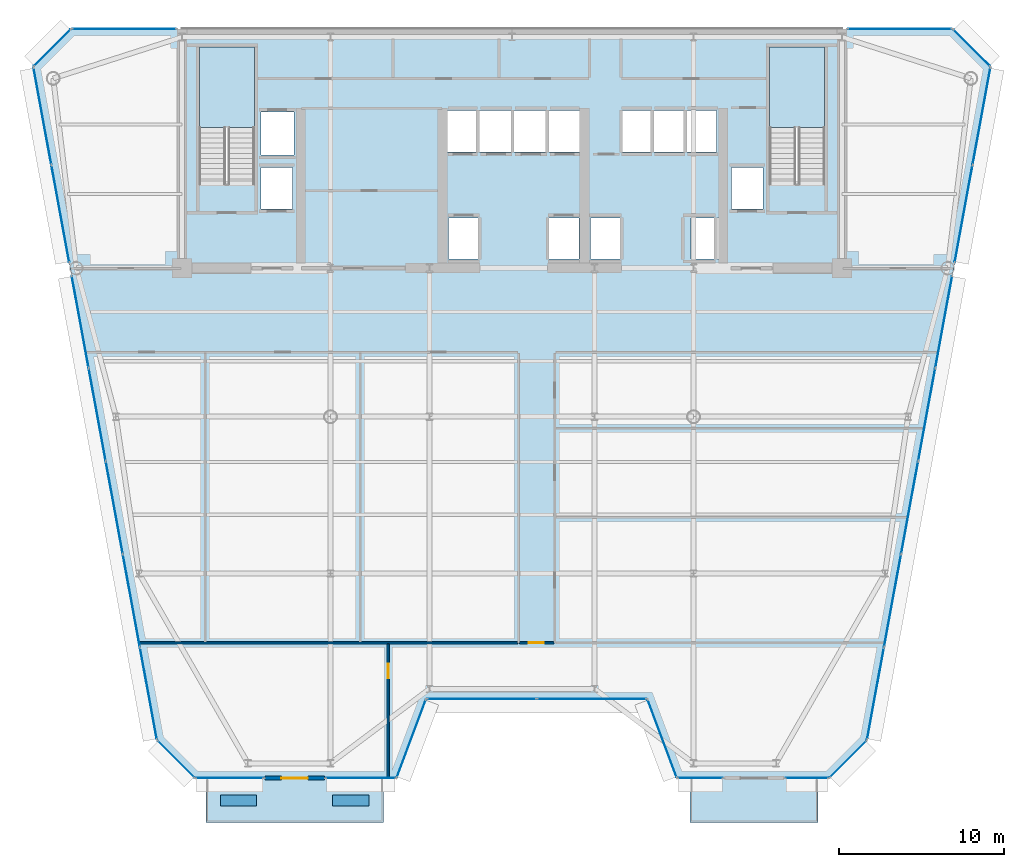
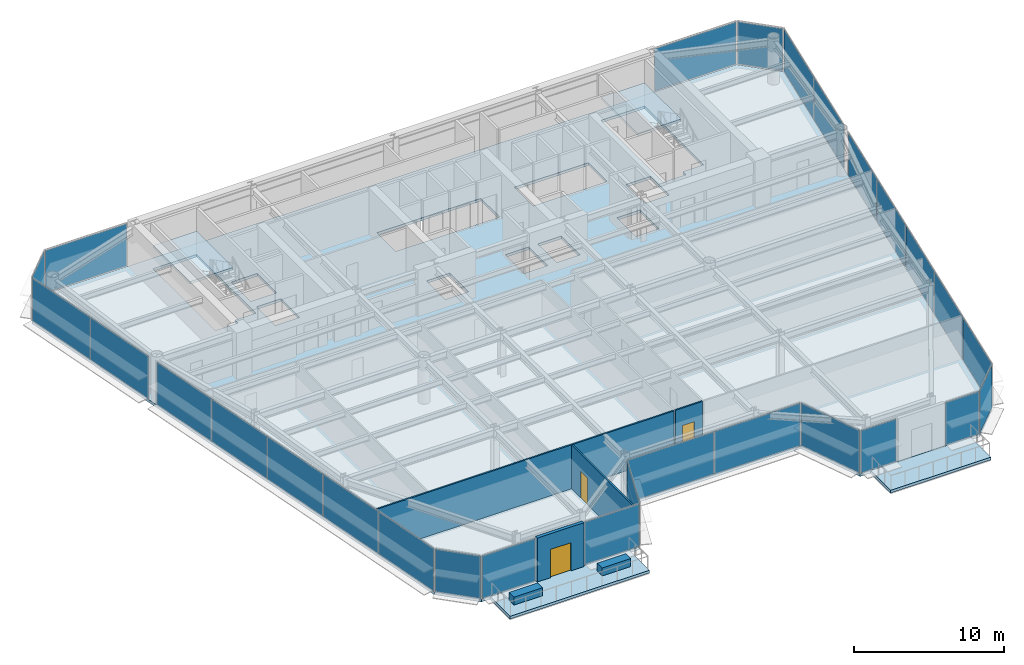
# One storey, part 10 of 17: 28 plates, 6 walls, 5 slabs, 3 doors, 3 openings, 19 elements without a shape of their own.
"""IFC4 building model written with IfcOpenShell, lengths in metres."""

from ifc_helpers import new_model, si_unit, direction, frame, frame_2d, origin, origin_2d, place, context, subcontext, project, spatial, polyline, rectangle, outline, extrude, source, transform, mapped, material, layer, layer_set, type_object, element, fill, aggregate, save


model = new_model("IFC4")

# Units and contexts
model_context = context("Model", 3, precision=1e-05, world=origin(), true_north=direction((0.0, 1.0)))
body_context = subcontext(model_context, "Body", "Model", "MODEL_VIEW")
ifc_project = project(units=[si_unit("LENGTHUNIT", "METRE"), si_unit("AREAUNIT", "SQUARE_METRE"), si_unit("VOLUMEUNIT", "CUBIC_METRE"), si_unit("PLANEANGLEUNIT", "RADIAN"), si_unit("MASSUNIT", "GRAM", prefix="KILO")], contexts=[model_context])

# Site, building, storey
site_placement = place(None, origin())
site = spatial("IfcSite", under=ifc_project, at=site_placement, CompositionType="ELEMENT")
building_placement = place(site_placement, origin())
building = spatial("IfcBuilding", under=site, at=building_placement, Name="Vaeldorn Concourse Tower", CompositionType="ELEMENT")
storey_placement = place(building_placement, frame((0.0, 0.0, 180.39990234375)))
storey = spatial("IfcBuildingStorey", under=building, at=storey_placement, Name="L46", CompositionType="ELEMENT", Elevation=180.39990234375)

# Slabs
ifc_material_1 = material(Name="Concrete C40/50", Category="concrete")
ifc_layer_1 = layer(ifc_material_1, 0.219970703125)
ifc_layer_set_1 = layer_set([ifc_layer_1], Name="Concrete C40/50")
slab_type_1 = type_object("IfcSlabType", Name="SL-SKYGARDEN", PredefinedType="FLOOR", material=ifc_layer_set_1)
slab_1_placement = place(storey_placement, frame((0.0, 0.0, -0.219970703125)))
element("IfcSlab", 1, at=slab_1_placement, inside=storey, type_object=slab_type_1, Name="Mid-Rise Sky Garden Terrace Slab 1", PredefinedType="FLOOR", context=body_context, shape_type="SweptSolid", body=[
    extrude(outline(polyline([(15.452880859375, 2.919921875), (26.199951171875, 2.919921875), (26.199951171875, 5.580078125), (15.452880859375, 5.580078125), (15.452880859375, 2.919921875)])), origin(), (0.0, 0.0, 1.0), 0.219970703125),
])
slab_2_placement = place(storey_placement, frame((0.0, 0.0, -0.219970703125)))
element("IfcSlab", 2, at=slab_2_placement, inside=storey, type_object=slab_type_1, Name="Mid-Rise Sky Garden Terrace Slab 2", PredefinedType="FLOOR", context=body_context, shape_type="SweptSolid", body=[
    extrude(outline(polyline([(44.800048828125, 2.919921875), (52.547119140625, 2.919921875), (52.547119140625, 5.580078125), (44.800048828125, 5.580078125), (44.800048828125, 2.919921875)])), origin(), (0.0, 0.0, 1.0), 0.219970703125),
])

# Stair, slab
ifc_material_2 = material(Name="Precast concrete C40/50", Category="concrete")
stair_type = type_object("IfcStairType", Name="STR-DOG-24x158", PredefinedType="HALF_TURN_STAIR", material=ifc_material_2)
stair_1_placement = place(storey_placement, origin())
stair_1 = element("IfcStair", 3, at=stair_1_placement, inside=storey, type_object=stair_type, Name="L46 West Core Exit Stair ST-1", PredefinedType="HALF_TURN_STAIR")
ifc_layer_2 = layer(ifc_material_1, 0.199951171875)
ifc_layer_set_2 = layer_set([ifc_layer_2], Name="Concrete C40/50")
slab_type_2 = type_object("IfcSlabType", Name="SL-STAIR-LANDING", PredefinedType="LANDING", material=ifc_layer_set_2)
slab_3_placement = place(storey_placement, frame((0.0, 0.0, 1.7001953125)))
slab_3 = element("IfcSlab", 4, at=slab_3_placement, type_object=slab_type_2, Name="ST-1 landing 1", PredefinedType="LANDING", context=body_context, shape_type="SweptSolid", body=[
    extrude(outline(polyline([(18.39990234375, 45.010009765625), (18.39990234375, 49.89990234375), (15.050048828125, 49.89990234375), (15.050048828125, 45.010009765625), (18.39990234375, 45.010009765625)])), origin(), (0.0, 0.0, 1.0), 0.199951171875),
])
aggregate(stair_1, [slab_3])

stair_2_placement = place(storey_placement, origin())
stair_2 = element("IfcStair", 5, at=stair_2_placement, inside=storey, type_object=stair_type, Name="L46 East Core Exit Stair ST-2", PredefinedType="HALF_TURN_STAIR")
slab_4_placement = place(storey_placement, frame((0.0, 0.0, 1.7001953125)))
slab_4 = element("IfcSlab", 6, at=slab_4_placement, type_object=slab_type_2, Name="ST-2 landing 1", PredefinedType="LANDING", context=body_context, shape_type="SweptSolid", body=[
    extrude(outline(polyline([(52.949951171875, 45.010009765625), (52.949951171875, 49.89990234375), (49.60009765625, 49.89990234375), (49.60009765625, 45.010009765625), (52.949951171875, 45.010009765625)])), origin(), (0.0, 0.0, 1.0), 0.199951171875),
])
aggregate(stair_2, [slab_4])

# Slab
ifc_layer_3 = layer(ifc_material_1, 0.219970703125)
ifc_layer_set_3 = layer_set([ifc_layer_3], Name="Concrete C40/50")
slab_type_3 = type_object("IfcSlabType", Name="SL-TYP-220", PredefinedType="FLOOR", material=ifc_layer_set_3)
slab_5_placement = place(storey_placement, frame((0.0, 0.0, -0.219970703125)))
element("IfcSlab", 7, at=slab_5_placement, inside=storey, type_object=slab_type_3, Name="Structural Floor Slab L46", PredefinedType="FLOOR", context=body_context, shape_type="SweptSolid", body=[
    extrude(outline(polyline([(14.791015625, 5.60009765625), (27.0, 5.60009765625), (28.800048828125, 10.39990234375), (42.199951171875, 10.39990234375), (44.0, 5.60009765625), (53.208984375, 5.60009765625), (55.509033203125, 7.89990234375), (63.0, 48.699951171875), (60.699951171875, 51.0), (7.300048828125, 51.0), (5.0, 48.699951171875), (12.490966796875, 7.89990234375), (14.791015625, 5.60009765625)]), holes=[polyline([(18.39990234375, 42.0), (18.39990234375, 49.89990234375), (15.050048828125, 49.89990234375), (15.050048828125, 41.60009765625), (16.800048828125, 41.60009765625), (16.800048828125, 42.0), (18.39990234375, 42.0)]), polyline([(52.949951171875, 42.0), (52.949951171875, 49.89990234375), (49.60009765625, 49.89990234375), (49.60009765625, 41.60009765625), (51.35009765625, 41.60009765625), (51.35009765625, 42.0), (52.949951171875, 42.0)]), polyline([(30.14990234375, 37.050048828125), (31.949951171875, 37.050048828125), (31.949951171875, 39.550048828125), (30.14990234375, 39.550048828125), (30.14990234375, 37.050048828125)]), polyline([(36.25, 37.050048828125), (38.050048828125, 37.050048828125), (38.050048828125, 39.550048828125), (36.25, 39.550048828125), (36.25, 37.050048828125)]), polyline([(30.10009765625, 43.550048828125), (38.10009765625, 43.550048828125), (38.10009765625, 46.050048828125), (30.10009765625, 46.050048828125), (30.10009765625, 43.550048828125)]), polyline([(38.75, 37.050048828125), (40.550048828125, 37.050048828125), (40.550048828125, 39.550048828125), (38.75, 39.550048828125), (38.75, 37.050048828125)]), polyline([(44.85009765625, 37.050048828125), (46.64990234375, 37.050048828125), (46.64990234375, 39.550048828125), (44.85009765625, 39.550048828125), (44.85009765625, 37.050048828125)]), polyline([(40.699951171875, 43.550048828125), (46.39990234375, 43.550048828125), (46.39990234375, 46.050048828125), (40.699951171875, 46.050048828125), (40.699951171875, 43.550048828125)]), polyline([(18.800048828125, 43.35009765625), (20.800048828125, 43.35009765625), (20.800048828125, 45.949951171875), (18.800048828125, 45.949951171875), (18.800048828125, 43.35009765625)]), polyline([(18.800048828125, 40.10009765625), (20.699951171875, 40.10009765625), (20.699951171875, 42.60009765625), (18.800048828125, 42.60009765625), (18.800048828125, 40.10009765625)]), polyline([(47.300048828125, 40.10009765625), (49.199951171875, 40.10009765625), (49.199951171875, 42.60009765625), (47.300048828125, 42.60009765625), (47.300048828125, 40.10009765625)])]), origin(), (0.0, 0.0, 1.0), 0.219970703125),
])

# Curtain wall, plate
ifc_material_3 = material(Name="Anodised Bronze Aluminium", Category="aluminium")
ifc_layer_4 = layer(ifc_material_3, 0.2099609375)
ifc_layer_set_4 = layer_set([ifc_layer_4], Name="Anodised Bronze Aluminium")
curtain_wall_type_1 = type_object("IfcCurtainWallType", Name="CW-SYS-06", PredefinedType="NOTDEFINED", material=ifc_layer_set_4)
curtain_wall_1_placement = place(storey_placement, origin())
curtain_wall_1 = element("IfcCurtainWall", 8, at=curtain_wall_1_placement, inside=storey, type_object=curtain_wall_type_1, Name="Unitised Curtain Wall CW-L46-E02-1", PredefinedType="NOTDEFINED")
ifc_material_4 = material(Name="Bronze Tinted Low-E Insulated Glass", Category="glass")
ifc_layer_5 = layer(ifc_material_4, 0.031982421875)
ifc_layer_set_5 = layer_set([ifc_layer_5], Name="Bronze Tinted Low-E Insulated Glass")
plate_type = type_object("IfcPlateType", Name="CWP-VISION-32", PredefinedType="CURTAIN_PANEL", material=ifc_layer_set_5)
shared_shape_1 = source(origin(), body_context, "Body", "SweptSolid", [
    extrude(rectangle(XDim=4.996337890625, YDim=0.031982421875, at=origin_2d()), origin(), (0.0, 0.0, 1.0), 3.449951171875),
])
plate_1_placement = place(storey_placement, frame((27.89990234375, 8.0, 0.06494140625), z_axis=(0.0, 0.0, 1.0), x_axis=(0.351123441595, 0.936329177566, 0.0)))
plate_1 = element("IfcPlate", 9, at=plate_1_placement, type_object=plate_type, Name="CW-06 panel 1.1", PredefinedType="CURTAIN_PANEL", context=body_context, shape_type="MappedRepresentation", body=[
    mapped(shared_shape_1, transform((0.0, 0.0, 0.0), scale=1.0)),
])
aggregate(curtain_wall_1, [plate_1])

curtain_wall_2_placement = place(storey_placement, origin())
curtain_wall_2 = element("IfcCurtainWall", 10, at=curtain_wall_2_placement, inside=storey, type_object=curtain_wall_type_1, Name="Unitised Curtain Wall CW-L46-E04-1", PredefinedType="NOTDEFINED")
plate_2_placement = place(storey_placement, frame((43.10009765625, 8.0, 0.06494140625), z_axis=(0.0, 0.0, 1.0), x_axis=(0.351123441595, -0.936329177566, 0.0)))
plate_2 = element("IfcPlate", 11, at=plate_2_placement, type_object=plate_type, Name="CW-06 panel 1.1", PredefinedType="CURTAIN_PANEL", context=body_context, shape_type="MappedRepresentation", body=[
    mapped(shared_shape_1, transform((0.0, 0.0, 0.0), scale=1.0)),
])
aggregate(curtain_wall_2, [plate_2])

# Curtain wall, plates
curtain_wall_3_placement = place(storey_placement, origin())
curtain_wall_3 = element("IfcCurtainWall", 12, at=curtain_wall_3_placement, inside=storey, type_object=curtain_wall_type_1, Name="Unitised Curtain Wall CW-L46-E03-1", PredefinedType="NOTDEFINED")
shared_shape_2 = source(origin(), body_context, "Body", "SweptSolid", [
    extrude(rectangle(XDim=6.6025390625, YDim=0.031982421875, at=origin_2d()), origin(), (0.0, 0.0, 1.0), 3.449951171875),
])
plate_3_placement = place(storey_placement, frame((32.166259765625, 10.39990234375, 0.06494140625), z_axis=(0.0, 0.0, 1.0), x_axis=(1.0, 0.0, 0.0)))
plate_3 = element("IfcPlate", 13, at=plate_3_placement, type_object=plate_type, Name="CW-06 panel 1.1", PredefinedType="CURTAIN_PANEL", context=body_context, shape_type="MappedRepresentation", body=[
    mapped(shared_shape_2, transform((0.0, 0.0, 0.0), scale=1.0)),
])
plate_4_placement = place(storey_placement, frame((38.833740234375, 10.39990234375, 0.06494140625), z_axis=(0.0, 0.0, 1.0), x_axis=(1.0, 0.0, 0.0)))
plate_4 = element("IfcPlate", 14, at=plate_4_placement, type_object=plate_type, Name="CW-06 panel 2.1", PredefinedType="CURTAIN_PANEL", context=body_context, shape_type="MappedRepresentation", body=[
    mapped(shared_shape_2, transform((0.0, 0.0, 0.0), scale=1.0)),
])
aggregate(curtain_wall_3, [plate_3, plate_4])

# Curtain wall, plate
curtain_wall_4_placement = place(storey_placement, origin())
curtain_wall_4 = element("IfcCurtainWall", 15, at=curtain_wall_4_placement, inside=storey, type_object=curtain_wall_type_1, Name="Unitised Curtain Wall CW-L46-E06-1", PredefinedType="NOTDEFINED")
shared_shape_3 = source(origin(), body_context, "Body", "SweptSolid", [
    extrude(rectangle(XDim=3.122802734375, YDim=0.031982421875, at=origin_2d()), origin(), (0.0, 0.0, 1.0), 3.449951171875),
])
plate_5_placement = place(storey_placement, frame((54.35888671875, 6.75, 0.06494140625), z_axis=(0.0, 0.0, 1.0), x_axis=(0.707106781187, 0.707106781187, 0.0)))
plate_5 = element("IfcPlate", 16, at=plate_5_placement, type_object=plate_type, Name="CW-06 panel 1.1", PredefinedType="CURTAIN_PANEL", context=body_context, shape_type="MappedRepresentation", body=[
    mapped(shared_shape_3, transform((0.0, 0.0, 0.0), scale=1.0)),
])
aggregate(curtain_wall_4, [plate_5])

ifc_layer_6 = layer(ifc_material_3, 0.18994140625)
ifc_layer_set_6 = layer_set([ifc_layer_6], Name="Anodised Bronze Aluminium")
curtain_wall_type_2 = type_object("IfcCurtainWallType", Name="CW-SYS-03", PredefinedType="NOTDEFINED", material=ifc_layer_set_6)
curtain_wall_5_placement = place(storey_placement, origin())
curtain_wall_5 = element("IfcCurtainWall", 17, at=curtain_wall_5_placement, inside=storey, type_object=curtain_wall_type_2, Name="Unitised Curtain Wall CW-L46-E08-1", PredefinedType="NOTDEFINED")
plate_6_placement = place(storey_placement, frame((61.85009765625, 49.85009765625, 0.06494140625), z_axis=(0.0, 0.0, 1.0), x_axis=(-0.707106781187, 0.707106781187, 0.0)))
plate_6 = element("IfcPlate", 18, at=plate_6_placement, type_object=plate_type, Name="CW-03 panel 1.1", PredefinedType="CURTAIN_PANEL", context=body_context, shape_type="MappedRepresentation", body=[
    mapped(shared_shape_3, transform((0.0, 0.0, 0.0), scale=1.0)),
])
aggregate(curtain_wall_5, [plate_6])

curtain_wall_6_placement = place(storey_placement, origin())
curtain_wall_6 = element("IfcCurtainWall", 19, at=curtain_wall_6_placement, inside=storey, type_object=curtain_wall_type_2, Name="Unitised Curtain Wall CW-L46-E10-1", PredefinedType="NOTDEFINED")
plate_7_placement = place(storey_placement, frame((6.14990234375, 49.85009765625, 0.06494140625), z_axis=(0.0, 0.0, 1.0), x_axis=(-0.707106781187, -0.707106781187, 0.0)))
plate_7 = element("IfcPlate", 20, at=plate_7_placement, type_object=plate_type, Name="CW-03 panel 1.1", PredefinedType="CURTAIN_PANEL", context=body_context, shape_type="MappedRepresentation", body=[
    mapped(shared_shape_3, transform((0.0, 0.0, 0.0), scale=1.0)),
])
aggregate(curtain_wall_6, [plate_7])

curtain_wall_7_placement = place(storey_placement, origin())
curtain_wall_7 = element("IfcCurtainWall", 21, at=curtain_wall_7_placement, inside=storey, type_object=curtain_wall_type_1, Name="Unitised Curtain Wall CW-L46-E12-1", PredefinedType="NOTDEFINED")
plate_8_placement = place(storey_placement, frame((13.64111328125, 6.75, 0.06494140625), z_axis=(0.0, 0.0, 1.0), x_axis=(0.707106781187, -0.707106781187, 0.0)))
plate_8 = element("IfcPlate", 22, at=plate_8_placement, type_object=plate_type, Name="CW-06 panel 1.1", PredefinedType="CURTAIN_PANEL", context=body_context, shape_type="MappedRepresentation", body=[
    mapped(shared_shape_3, transform((0.0, 0.0, 0.0), scale=1.0)),
])
aggregate(curtain_wall_7, [plate_8])

curtain_wall_8_placement = place(storey_placement, origin())
curtain_wall_8 = element("IfcCurtainWall", 23, at=curtain_wall_8_placement, inside=storey, type_object=curtain_wall_type_2, Name="Unitised Curtain Wall CW-L46-E09-1", PredefinedType="NOTDEFINED")
shared_shape_4 = source(origin(), body_context, "Body", "SweptSolid", [
    extrude(rectangle(XDim=6.27490234375, YDim=0.031982421875, at=origin_2d()), origin(), (0.0, 0.0, 1.0), 3.449951171875),
])
plate_9_placement = place(storey_placement, frame((57.49755859375, 51.0, 0.06494140625), z_axis=(0.0, 0.0, 1.0), x_axis=(-1.0, 0.0, 0.0)))
plate_9 = element("IfcPlate", 24, at=plate_9_placement, type_object=plate_type, Name="CW-03 panel 1.1", PredefinedType="CURTAIN_PANEL", context=body_context, shape_type="MappedRepresentation", body=[
    mapped(shared_shape_4, transform((0.0, 0.0, 0.0), scale=1.0)),
])
aggregate(curtain_wall_8, [plate_9])

curtain_wall_9_placement = place(storey_placement, origin())
curtain_wall_9 = element("IfcCurtainWall", 25, at=curtain_wall_9_placement, inside=storey, type_object=curtain_wall_type_2, Name="Unitised Curtain Wall CW-L46-E09-2", PredefinedType="NOTDEFINED")
plate_10_placement = place(storey_placement, frame((10.50244140625, 51.0, 0.06494140625), z_axis=(0.0, 0.0, 1.0), x_axis=(-1.0, 0.0, 0.0)))
plate_10 = element("IfcPlate", 26, at=plate_10_placement, type_object=plate_type, Name="CW-03 panel 1.1", PredefinedType="CURTAIN_PANEL", context=body_context, shape_type="MappedRepresentation", body=[
    mapped(shared_shape_4, transform((0.0, 0.0, 0.0), scale=1.0)),
])
aggregate(curtain_wall_9, [plate_10])

curtain_wall_10_placement = place(storey_placement, origin())
curtain_wall_10 = element("IfcCurtainWall", 27, at=curtain_wall_10_placement, inside=storey, type_object=curtain_wall_type_1, Name="Unitised Curtain Wall CW-L46-E01-1", PredefinedType="NOTDEFINED")
shared_shape_5 = source(origin(), body_context, "Body", "SweptSolid", [
    extrude(rectangle(XDim=4.069091796875, YDim=0.031982421875, at=origin_2d()), origin(), (0.0, 0.0, 1.0), 3.449951171875),
])
plate_11_placement = place(storey_placement, frame((16.890380859375, 5.60009765625, 0.06494140625), z_axis=(0.0, 0.0, 1.0), x_axis=(1.0, 0.0, 0.0)))
plate_11 = element("IfcPlate", 28, at=plate_11_placement, type_object=plate_type, Name="CW-06 panel 1.1", PredefinedType="CURTAIN_PANEL", context=body_context, shape_type="MappedRepresentation", body=[
    mapped(shared_shape_5, transform((0.0, 0.0, 0.0), scale=1.0)),
])
aggregate(curtain_wall_10, [plate_11])

curtain_wall_11_placement = place(storey_placement, origin())
curtain_wall_11 = element("IfcCurtainWall", 29, at=curtain_wall_11_placement, inside=storey, type_object=curtain_wall_type_1, Name="Unitised Curtain Wall CW-L46-E01-2", PredefinedType="NOTDEFINED")
shared_shape_6 = source(origin(), body_context, "Body", "SweptSolid", [
    extrude(rectangle(XDim=4.199951171875, YDim=0.031982421875, at=origin_2d()), origin(), (0.0, 0.0, 1.0), 3.449951171875),
])
plate_12_placement = place(storey_placement, frame((24.8349609375, 5.60009765625, 0.06494140625), z_axis=(0.0, 0.0, 1.0), x_axis=(1.0, 0.0, 0.0)))
plate_12 = element("IfcPlate", 30, at=plate_12_placement, type_object=plate_type, Name="CW-06 panel 1.1", PredefinedType="CURTAIN_PANEL", context=body_context, shape_type="MappedRepresentation", body=[
    mapped(shared_shape_6, transform((0.0, 0.0, 0.0), scale=1.0)),
])
aggregate(curtain_wall_11, [plate_12])

curtain_wall_12_placement = place(storey_placement, origin())
curtain_wall_12 = element("IfcCurtainWall", 31, at=curtain_wall_12_placement, inside=storey, type_object=curtain_wall_type_1, Name="Unitised Curtain Wall CW-L46-E05-1", PredefinedType="NOTDEFINED")
shared_shape_7 = source(origin(), body_context, "Body", "SweptSolid", [
    extrude(rectangle(XDim=2.699951171875, YDim=0.031982421875, at=origin_2d()), origin(), (0.0, 0.0, 1.0), 3.449951171875),
])
plate_13_placement = place(storey_placement, frame((45.4150390625, 5.60009765625, 0.06494140625), z_axis=(0.0, 0.0, 1.0), x_axis=(1.0, 0.0, 0.0)))
plate_13 = element("IfcPlate", 32, at=plate_13_placement, type_object=plate_type, Name="CW-06 panel 1.1", PredefinedType="CURTAIN_PANEL", context=body_context, shape_type="MappedRepresentation", body=[
    mapped(shared_shape_7, transform((0.0, 0.0, 0.0), scale=1.0)),
])
aggregate(curtain_wall_12, [plate_13])

curtain_wall_13_placement = place(storey_placement, origin())
curtain_wall_13 = element("IfcCurtainWall", 33, at=curtain_wall_13_placement, inside=storey, type_object=curtain_wall_type_1, Name="Unitised Curtain Wall CW-L46-E05-2", PredefinedType="NOTDEFINED")
shared_shape_8 = source(origin(), body_context, "Body", "SweptSolid", [
    extrude(rectangle(XDim=2.569091796875, YDim=0.031982421875, at=origin_2d()), origin(), (0.0, 0.0, 1.0), 3.449951171875),
])
plate_14_placement = place(storey_placement, frame((51.859619140625, 5.60009765625, 0.06494140625), z_axis=(0.0, 0.0, 1.0), x_axis=(1.0, 0.0, 0.0)))
plate_14 = element("IfcPlate", 34, at=plate_14_placement, type_object=plate_type, Name="CW-06 panel 1.1", PredefinedType="CURTAIN_PANEL", context=body_context, shape_type="MappedRepresentation", body=[
    mapped(shared_shape_8, transform((0.0, 0.0, 0.0), scale=1.0)),
])
aggregate(curtain_wall_13, [plate_14])

# Curtain wall, plates
curtain_wall_14_placement = place(storey_placement, origin())
curtain_wall_14 = element("IfcCurtainWall", 35, at=curtain_wall_14_placement, inside=storey, type_object=curtain_wall_type_1, Name="Unitised Curtain Wall CW-L46-E07-1", PredefinedType="NOTDEFINED")
shared_shape_9 = source(origin(), body_context, "Body", "SweptSolid", [
    extrude(rectangle(XDim=5.63330078125, YDim=0.031982421875, at=origin_2d()), origin(), (0.0, 0.0, 1.0), 3.449951171875),
])
plate_15_placement = place(storey_placement, frame((56.029296875, 10.734375, 0.06494140625), z_axis=(0.0, 0.0, 1.0), x_axis=(0.180585309951, 0.983559325018, 0.0)))
plate_15 = element("IfcPlate", 36, at=plate_15_placement, type_object=plate_type, Name="CW-06 panel 1.1", PredefinedType="CURTAIN_PANEL", context=body_context, shape_type="MappedRepresentation", body=[
    mapped(shared_shape_9, transform((0.0, 0.0, 0.0), scale=1.0)),
])
plate_16_placement = place(storey_placement, frame((60.1630859375, 33.249267578125, 0.06494140625), z_axis=(0.0, 0.0, 1.0), x_axis=(0.180585309951, 0.983559325018, 0.0)))
plate_16 = element("IfcPlate", 37, at=plate_16_placement, type_object=plate_type, Name="CW-06 panel 5.1", PredefinedType="CURTAIN_PANEL", context=body_context, shape_type="MappedRepresentation", body=[
    mapped(shared_shape_9, transform((0.0, 0.0, 0.0), scale=1.0)),
])

curtain_wall_15_placement = place(storey_placement, origin())
curtain_wall_15 = element("IfcCurtainWall", 38, at=curtain_wall_15_placement, inside=storey, type_object=curtain_wall_type_1, Name="Unitised Curtain Wall CW-L46-E11-2", PredefinedType="NOTDEFINED")
plate_17_placement = place(storey_placement, frame((7.8369140625, 33.249267578125, 0.06494140625), z_axis=(0.0, 0.0, 1.0), x_axis=(0.180585309951, -0.983559325018, 0.0)))
plate_17 = element("IfcPlate", 39, at=plate_17_placement, type_object=plate_type, Name="CW-06 panel 1.1", PredefinedType="CURTAIN_PANEL", context=body_context, shape_type="MappedRepresentation", body=[
    mapped(shared_shape_9, transform((0.0, 0.0, 0.0), scale=1.0)),
])
plate_18_placement = place(storey_placement, frame((11.970703125, 10.734375, 0.06494140625), z_axis=(0.0, 0.0, 1.0), x_axis=(0.180585309951, -0.983559325018, 0.0)))
plate_18 = element("IfcPlate", 40, at=plate_18_placement, type_object=plate_type, Name="CW-06 panel 5.1", PredefinedType="CURTAIN_PANEL", context=body_context, shape_type="MappedRepresentation", body=[
    mapped(shared_shape_9, transform((0.0, 0.0, 0.0), scale=1.0)),
])

# Plate
shared_shape_10 = source(origin(), body_context, "Body", "SweptSolid", [
    extrude(rectangle(XDim=5.666015625, YDim=0.031982421875, at=origin_2d()), origin(), (0.0, 0.0, 1.0), 3.449951171875),
])
plate_19_placement = place(storey_placement, frame((57.061279296875, 16.35498046875, 0.06494140625), z_axis=(0.0, 0.0, 1.0), x_axis=(0.180585309951, 0.983559325018, 0.0)))
plate_19 = element("IfcPlate", 41, at=plate_19_placement, type_object=plate_type, Name="CW-06 panel 2.1", PredefinedType="CURTAIN_PANEL", context=body_context, shape_type="MappedRepresentation", body=[
    mapped(shared_shape_10, transform((0.0, 0.0, 0.0), scale=1.0)),
])

plate_20_placement = place(storey_placement, frame((58.09619140625, 21.99169921875, 0.06494140625), z_axis=(0.0, 0.0, 1.0), x_axis=(0.180585309951, 0.983559325018, 0.0)))
plate_20 = element("IfcPlate", 42, at=plate_20_placement, type_object=plate_type, Name="CW-06 panel 3.1", PredefinedType="CURTAIN_PANEL", context=body_context, shape_type="MappedRepresentation", body=[
    mapped(shared_shape_10, transform((0.0, 0.0, 0.0), scale=1.0)),
])

plate_21_placement = place(storey_placement, frame((59.131103515625, 27.62841796875, 0.06494140625), z_axis=(0.0, 0.0, 1.0), x_axis=(0.180585309951, 0.983559325018, 0.0)))
plate_21 = element("IfcPlate", 43, at=plate_21_placement, type_object=plate_type, Name="CW-06 panel 4.1", PredefinedType="CURTAIN_PANEL", context=body_context, shape_type="MappedRepresentation", body=[
    mapped(shared_shape_10, transform((0.0, 0.0, 0.0), scale=1.0)),
])

aggregate(curtain_wall_14, [plate_15, plate_19, plate_20, plate_21, plate_16])

plate_22_placement = place(storey_placement, frame((8.868896484375, 27.62841796875, 0.06494140625), z_axis=(0.0, 0.0, 1.0), x_axis=(0.180585309951, -0.983559325018, 0.0)))
plate_22 = element("IfcPlate", 44, at=plate_22_placement, type_object=plate_type, Name="CW-06 panel 2.1", PredefinedType="CURTAIN_PANEL", context=body_context, shape_type="MappedRepresentation", body=[
    mapped(shared_shape_10, transform((0.0, 0.0, 0.0), scale=1.0)),
])

plate_23_placement = place(storey_placement, frame((9.90380859375, 21.99169921875, 0.06494140625), z_axis=(0.0, 0.0, 1.0), x_axis=(0.180585309951, -0.983559325018, 0.0)))
plate_23 = element("IfcPlate", 45, at=plate_23_placement, type_object=plate_type, Name="CW-06 panel 3.1", PredefinedType="CURTAIN_PANEL", context=body_context, shape_type="MappedRepresentation", body=[
    mapped(shared_shape_10, transform((0.0, 0.0, 0.0), scale=1.0)),
])

plate_24_placement = place(storey_placement, frame((10.938720703125, 16.35498046875, 0.06494140625), z_axis=(0.0, 0.0, 1.0), x_axis=(0.180585309951, -0.983559325018, 0.0)))
plate_24 = element("IfcPlate", 46, at=plate_24_placement, type_object=plate_type, Name="CW-06 panel 4.1", PredefinedType="CURTAIN_PANEL", context=body_context, shape_type="MappedRepresentation", body=[
    mapped(shared_shape_10, transform((0.0, 0.0, 0.0), scale=1.0)),
])

aggregate(curtain_wall_15, [plate_17, plate_22, plate_23, plate_24, plate_18])

# Curtain wall, plates
curtain_wall_16_placement = place(storey_placement, origin())
curtain_wall_16 = element("IfcCurtainWall", 47, at=curtain_wall_16_placement, inside=storey, type_object=curtain_wall_type_1, Name="Unitised Curtain Wall CW-L46-E07-2", PredefinedType="NOTDEFINED")
shared_shape_11 = source(origin(), body_context, "Body", "SweptSolid", [
    extrude(rectangle(XDim=5.9482421875, YDim=0.031982421875, at=origin_2d()), origin(), (0.0, 0.0, 1.0), 3.449951171875),
])
plate_25_placement = place(storey_placement, frame((61.365234375, 39.796630859375, 0.06494140625), z_axis=(0.0, 0.0, 1.0), x_axis=(0.180584576845, 0.983559459619, 0.0)))
plate_25 = element("IfcPlate", 48, at=plate_25_placement, type_object=plate_type, Name="CW-06 panel 1.1", PredefinedType="CURTAIN_PANEL", context=body_context, shape_type="MappedRepresentation", body=[
    mapped(shared_shape_11, transform((0.0, 0.0, 0.0), scale=1.0)),
])
plate_26_placement = place(storey_placement, frame((62.451171875, 45.7109375, 0.06494140625), z_axis=(0.0, 0.0, 1.0), x_axis=(0.180584576845, 0.983559459619, 0.0)))
plate_26 = element("IfcPlate", 49, at=plate_26_placement, type_object=plate_type, Name="CW-06 panel 2.1", PredefinedType="CURTAIN_PANEL", context=body_context, shape_type="MappedRepresentation", body=[
    mapped(shared_shape_11, transform((0.0, 0.0, 0.0), scale=1.0)),
])
aggregate(curtain_wall_16, [plate_25, plate_26])

curtain_wall_17_placement = place(storey_placement, origin())
curtain_wall_17 = element("IfcCurtainWall", 50, at=curtain_wall_17_placement, inside=storey, type_object=curtain_wall_type_1, Name="Unitised Curtain Wall CW-L46-E11-1", PredefinedType="NOTDEFINED")
plate_27_placement = place(storey_placement, frame((5.548828125, 45.7109375, 0.06494140625), z_axis=(0.0, 0.0, 1.0), x_axis=(0.180584576845, -0.983559459619, 0.0)))
plate_27 = element("IfcPlate", 51, at=plate_27_placement, type_object=plate_type, Name="CW-06 panel 1.1", PredefinedType="CURTAIN_PANEL", context=body_context, shape_type="MappedRepresentation", body=[
    mapped(shared_shape_11, transform((0.0, 0.0, 0.0), scale=1.0)),
])
plate_28_placement = place(storey_placement, frame((6.634765625, 39.796630859375, 0.06494140625), z_axis=(0.0, 0.0, 1.0), x_axis=(0.180584576845, -0.983559459619, 0.0)))
plate_28 = element("IfcPlate", 52, at=plate_28_placement, type_object=plate_type, Name="CW-06 panel 2.1", PredefinedType="CURTAIN_PANEL", context=body_context, shape_type="MappedRepresentation", body=[
    mapped(shared_shape_11, transform((0.0, 0.0, 0.0), scale=1.0)),
])
aggregate(curtain_wall_17, [plate_27, plate_28])

# Wall, opening, door
ifc_layer_7 = layer(ifc_material_2, 0.25)
ifc_layer_set_7 = layer_set([ifc_layer_7], Name="Precast concrete C40/50")
wall_type_1 = type_object("IfcWallType", Name="WL-EXT-TERRACE-250", PredefinedType="STANDARD", material=ifc_layer_set_7)
wall_1_placement = place(storey_placement, frame((22.6298828125, 5.60009765625, 0.0), z_axis=(0.0, 0.0, 1.0), x_axis=(-1.0, 0.0, 0.0)))
wall_1 = element("IfcWall", 53, at=wall_1_placement, inside=storey, type_object=wall_type_1, Name="Sawtooth Sky Garden Portal Wall L46-1", PredefinedType="STANDARD", context=body_context, shape_type="SweptSolid", body=[
    extrude(rectangle(XDim=3.599853515625, YDim=0.25, at=frame_2d((1.7998046875, 0.0))), origin(), (0.0, 0.0, 1.0), 3.580078125),
])
opening_1_placement = place(wall_1_placement, frame((1.0, 0.0, 0.0)))
opening_1 = element("IfcOpeningElement", 54, at=opening_1_placement, cuts=wall_1, Name="Opening DG-1", PredefinedType="OPENING", context=body_context, shape_type="SweptSolid", body=[
    extrude(rectangle(XDim=1.60009765625, YDim=2.300048828125, at=frame_2d((0.800048828125, 1.14990234375))), frame((0.0, 0.135009765625, 0.0), z_axis=(0.0, -1.0, 0.0), x_axis=(1.0, 0.0, 0.0)), (0.0, 0.0, 1.0), 0.27001953125),
])
door_type_1 = type_object("IfcDoorType", Name="DR-EXTERNAL-1600", OperationType="DOUBLE_DOOR_SINGLE_SWING", PredefinedType="DOOR", material=ifc_material_3)
shared_shape_12 = source(origin(), body_context, "Body", "SweptSolid", [
    extrude(rectangle(XDim=1.60009765625, YDim=2.300048828125, at=frame_2d((0.800048828125, 1.14990234375))), frame((0.0, 0.02490234375, 0.0), z_axis=(0.0, -1.0, 0.0), x_axis=(1.0, 0.0, 0.0)), (0.0, 0.0, 1.0), 0.050048828125),
])
door_1_placement = place(opening_1_placement, origin())
door_1 = element("IfcDoor", 55, at=door_1_placement, inside=storey, type_object=door_type_1, Name="Sawtooth Sky Garden Terrace Door L46-1", OperationType="DOUBLE_DOOR_SINGLE_SWING", OverallHeight=2.300048828125, OverallWidth=1.60009765625, PredefinedType="DOOR", context=body_context, shape_type="MappedRepresentation", body=[
    mapped(shared_shape_12, transform((0.0, 0.0, 0.0), scale=1.0)),
])
fill(opening_1, door_1)

ifc_material_5 = material(Name="Gypsum Board Partition", Category="gypsum")
ifc_layer_8 = layer(ifc_material_5, 0.1201171875)
ifc_layer_set_8 = layer_set([ifc_layer_8], Name="Gypsum Board Partition")
wall_type_2 = type_object("IfcWallType", Name="WL-PART-120", PredefinedType="PARTITIONING", material=ifc_layer_set_8)
wall_2_placement = place(storey_placement, frame((34.4599609375, 13.800048828125, 0.0), z_axis=(0.0, 0.0, 1.0), x_axis=(1.0, 0.0, 0.0)))
wall_2 = element("IfcWall", 56, at=wall_2_placement, inside=storey, type_object=wall_type_2, Name="Interior Wall PW-L46-SP2S", PredefinedType="PARTITIONING", context=body_context, shape_type="SweptSolid", body=[
    extrude(rectangle(XDim=2.080078125, YDim=0.1201171875, at=frame_2d((1.0400390625, 0.0))), origin(), (0.0, 0.0, 1.0), 3.580078125),
])
opening_2_placement = place(wall_2_placement, frame((0.550048828125, 0.0, 0.0)))
opening_2 = element("IfcOpeningElement", 57, at=opening_2_placement, cuts=wall_2, Name="Opening D-03", PredefinedType="OPENING", context=body_context, shape_type="SweptSolid", body=[
    extrude(rectangle(XDim=0.89990234375, YDim=2.14990234375, at=frame_2d((0.449951171875, 1.074951171875))), frame((0.0, 0.070068359375, 0.0), z_axis=(0.0, -1.0, 0.0), x_axis=(1.0, 0.0, 0.0)), (0.0, 0.0, 1.0), 0.14013671875),
])
ifc_material_6 = material(Name="Acoustic Bronze-Framed Glass Door", Category="glass")
door_type_2 = type_object("IfcDoorType", Name="DR-INT-900", OperationType="NOTDEFINED", PredefinedType="DOOR", material=ifc_material_6)
shared_shape_13 = source(origin(), body_context, "Body", "SweptSolid", [
    extrude(rectangle(XDim=0.89990234375, YDim=2.14990234375, at=frame_2d((0.449951171875, 1.074951171875))), frame((0.0, 0.02490234375, 0.0), z_axis=(0.0, -1.0, 0.0), x_axis=(1.0, 0.0, 0.0)), (0.0, 0.0, 1.0), 0.050048828125),
])
door_2_placement = place(opening_2_placement, origin())
door_2 = element("IfcDoor", 58, at=door_2_placement, inside=storey, type_object=door_type_2, Name="Interior Door DR-L46-Z2SFM", OperationType="SINGLE_SWING_LEFT", OverallHeight=2.14990234375, OverallWidth=0.89990234375, PredefinedType="DOOR", context=body_context, shape_type="MappedRepresentation", body=[
    mapped(shared_shape_13, transform((0.0, 0.0, 0.0), scale=1.0)),
])
fill(opening_2, door_2)

# Wall
wall_3_placement = place(storey_placement, frame((11.44775390625, 13.800048828125, 0.0), z_axis=(0.0, 0.0, 1.0), x_axis=(1.0, 0.0, 0.0)))
element("IfcWall", 59, at=wall_3_placement, inside=storey, type_object=wall_type_2, Name="Interior Wall PW-L46-S2WL", PredefinedType="PARTITIONING", context=body_context, shape_type="SweptSolid", body=[
    extrude(rectangle(XDim=22.892333984375, YDim=0.1201171875, at=frame_2d((11.4462890625, 0.0))), origin(), (0.0, 0.0, 1.0), 3.580078125),
])

# Wall, opening, door
wall_4_placement = place(storey_placement, frame((26.5, 5.639892578125, 0.0), z_axis=(0.0, 0.0, 1.0), x_axis=(0.0, 1.0, 0.0)))
wall_4 = element("IfcWall", 60, at=wall_4_placement, inside=storey, type_object=wall_type_2, Name="Interior Wall PW-L46-Z2SFX1", PredefinedType="PARTITIONING", context=body_context, shape_type="SweptSolid", body=[
    extrude(rectangle(XDim=8.10009765625, YDim=0.1201171875, at=frame_2d((4.050048828125, 0.0))), origin(), (0.0, 0.0, 1.0), 3.580078125),
])
opening_3_placement = place(wall_4_placement, frame((6.0, 0.0, 0.0)))
opening_3 = element("IfcOpeningElement", 61, at=opening_3_placement, cuts=wall_4, Name="Opening D-03", PredefinedType="OPENING", context=body_context, shape_type="SweptSolid", body=[
    extrude(rectangle(XDim=0.89990234375, YDim=2.14990234375, at=frame_2d((0.449951171875, 1.074951171875))), frame((0.0, 0.070068359375, 0.0), z_axis=(0.0, -1.0, 0.0), x_axis=(1.0, 0.0, 0.0)), (0.0, 0.0, 1.0), 0.14013671875),
])
door_3_placement = place(opening_3_placement, origin())
door_3 = element("IfcDoor", 62, at=door_3_placement, inside=storey, type_object=door_type_2, Name="Interior Door DR-L46-Z2SFX1", OperationType="SINGLE_SWING_RIGHT", OverallHeight=2.14990234375, OverallWidth=0.89990234375, PredefinedType="DOOR", context=body_context, shape_type="MappedRepresentation", body=[
    mapped(shared_shape_13, transform((0.0, 0.0, 0.0), scale=1.0)),
])
fill(opening_3, door_3)

# Walls
ifc_layer_9 = layer(ifc_material_3, 0.64990234375)
ifc_layer_set_9 = layer_set([ifc_layer_9], Name="Anodised Bronze Aluminium")
wall_type_3 = type_object("IfcWallType", Name="WL-PLANTER-BRONZE", PredefinedType="PARAPET", material=ifc_layer_set_9)
wall_5_placement = place(storey_placement, frame((16.330078125, 4.25, 0.0), z_axis=(0.0, 0.0, 1.0), x_axis=(1.0, 0.0, 0.0)))
element("IfcWall", 63, at=wall_5_placement, inside=storey, type_object=wall_type_3, Name="Sky Garden Bronze Planter Box L46-1", PredefinedType="PARAPET", context=body_context, shape_type="SweptSolid", body=[
    extrude(rectangle(XDim=2.199951171875, YDim=0.64990234375, at=frame_2d((1.10009765625, 0.0))), origin(), (0.0, 0.0, 1.0), 0.650146484375),
])
wall_6_placement = place(storey_placement, frame((23.1298828125, 4.25, 0.0), z_axis=(0.0, 0.0, 1.0), x_axis=(1.0, 0.0, 0.0)))
element("IfcWall", 64, at=wall_6_placement, inside=storey, type_object=wall_type_3, Name="Sky Garden Bronze Planter Box L46-1", PredefinedType="PARAPET", context=body_context, shape_type="SweptSolid", body=[
    extrude(rectangle(XDim=2.2001953125, YDim=0.64990234375, at=frame_2d((1.10009765625, 0.0))), origin(), (0.0, 0.0, 1.0), 0.650146484375),
])

save(model, "model.ifc")
